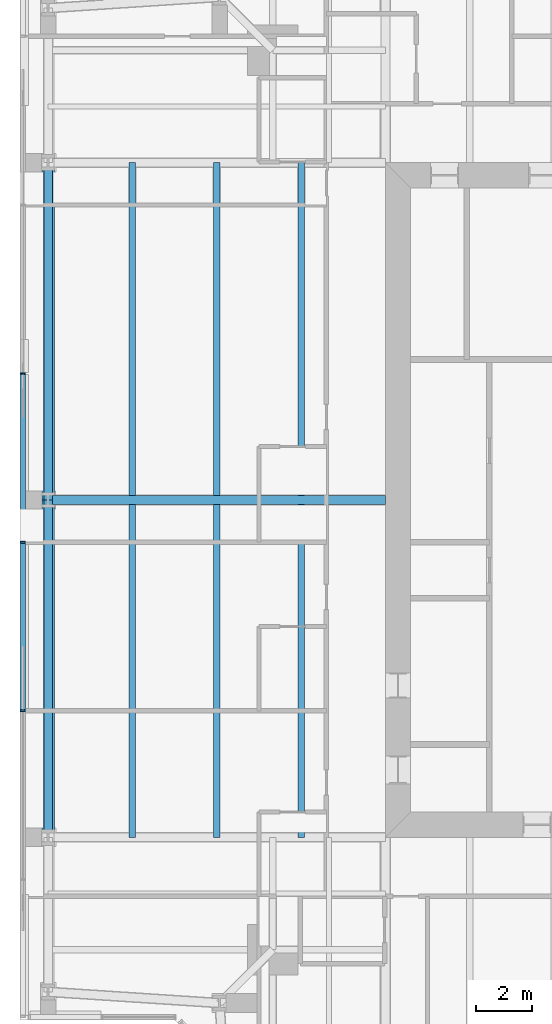
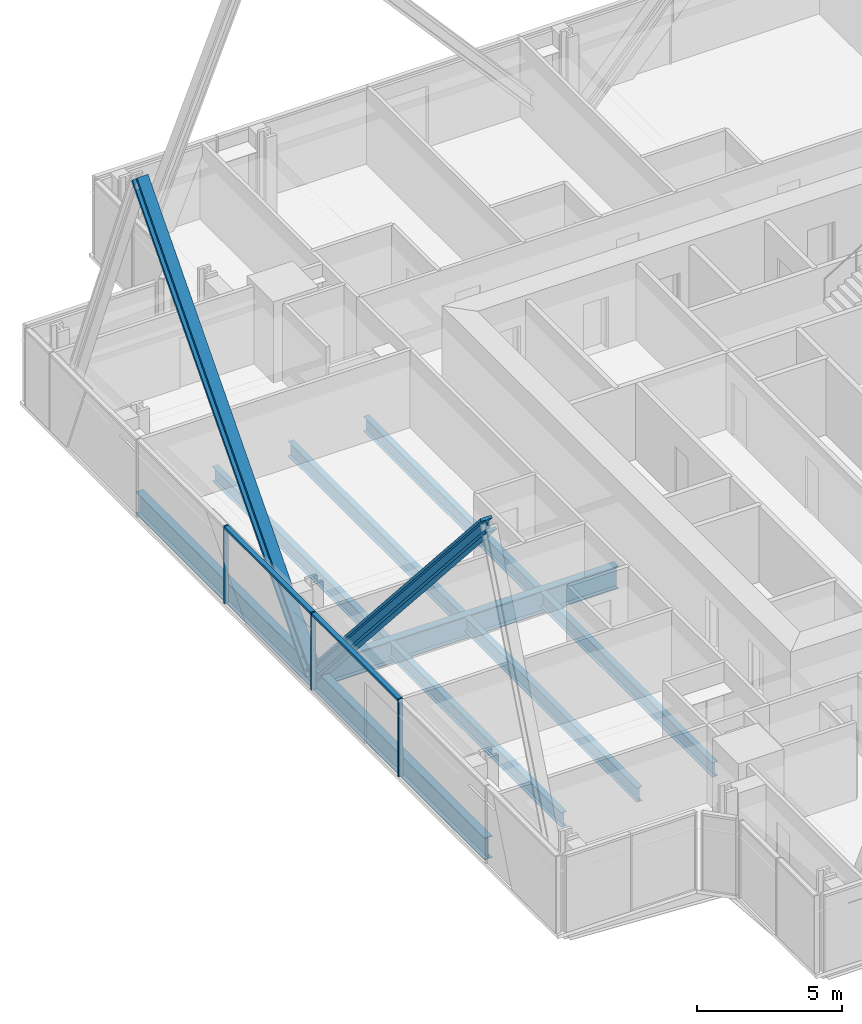
# One storey, part 4 of 20: 9 beams, 7 members, 1 element without a shape of its own.
"""IFC4 building model written with IfcOpenShell, lengths in metres."""

from ifc_helpers import new_model, si_unit, direction, frame, origin, origin_2d, place, context, subcontext, project, spatial, rectangle, i_section, extrude, material, material_profile, profile_set, type_object, element, aggregate, save


model = new_model("IFC4")

# Units and contexts
model_context = context("Model", 3, precision=1e-05, world=origin(), true_north=direction((0.0, 1.0)))
body_context = subcontext(model_context, "Body", "Model", "MODEL_VIEW")
ifc_project = project(units=[si_unit("LENGTHUNIT", "METRE"), si_unit("AREAUNIT", "SQUARE_METRE"), si_unit("VOLUMEUNIT", "CUBIC_METRE"), si_unit("PLANEANGLEUNIT", "RADIAN"), si_unit("MASSUNIT", "GRAM", prefix="KILO")], contexts=[model_context])

# Site, building, storey
site_placement = place(None, origin())
site = spatial("IfcSite", under=ifc_project, at=site_placement, CompositionType="ELEMENT")
building_placement = place(site_placement, origin())
building = spatial("IfcBuilding", under=site, at=building_placement, Name="Fenwick Lantern Interchange", CompositionType="ELEMENT")
storey_placement = place(building_placement, frame((0.0, 0.0, 256.0)))
storey = spatial("IfcBuildingStorey", under=building, at=storey_placement, Name="L60", CompositionType="ELEMENT", Elevation=256.0)

# Beams
ifc_material_1 = material(Name="Steel ASTM A992 Grade 50", Category="steel")
ifc_material_profile_1 = material_profile(ifc_material_1, i_section(OverallWidth=0.3046875, OverallDepth=0.911865234375, WebThickness=0.015869140625, FlangeThickness=0.02392578125, at=origin_2d()), Name="W36X150")
ifc_profile_set_1 = profile_set([ifc_material_profile_1], Name="Steel ASTM A992 Grade 50")
beam_type_1 = type_object("IfcBeamType", Name="EDGE BEAM W36X150", PredefinedType="SPANDREL", material=ifc_profile_set_1)
for number, where, z_axis, x_axis, name in (
    (1, (1.0, 37.0, -0.60595703125), (0.0, -1.0, 0.0), (1.0, 0.0, 0.0), "L60/FR/W/EB2"),
    (2, (1.0, 25.0, -0.60595703125), (0.0, -1.0, 0.0), (1.0, 0.0, 0.0), "L60/FR/W/EB3"),
):
    element("IfcBeam", number, at=place(storey_placement, frame(where, z_axis=z_axis, x_axis=x_axis)), inside=storey, type_object=beam_type_1, Name=name, PredefinedType="SPANDREL", context=body_context, shape_type="SweptSolid", body=[
        extrude(i_section(OverallWidth=0.3046875, OverallDepth=0.911865234375, WebThickness=0.015869140625, FlangeThickness=0.02392578125, at=origin_2d()), origin(), (0.0, 0.0, 1.0), 12.0),
    ])

# Members
ifc_material_profile_2 = material_profile(ifc_material_1, i_section(OverallWidth=0.44189453125, OverallDepth=0.53076171875, WebThickness=0.06591796875, FlangeThickness=0.105712890625, at=origin_2d()), Name="W14X605")
ifc_profile_set_2 = profile_set([ifc_material_profile_2], Name="Steel ASTM A992 Grade 50")
member_type_1 = type_object("IfcMemberType", Name="FACADE BRACE W14X605", PredefinedType="BRACE", material=ifc_profile_set_2)
for number, where, z_axis, x_axis, name in (
    (3, (1.0, 25.0, -0.60595703125), (0.0, 0.661618965899, 0.749840212287), (-1.0, 0.0, 0.0), "L60/FB/W/A"),
    (4, (1.0, 25.0, -0.60595703125), (0.0, -0.661618965899, 0.749840212287), (1.0, 0.0, 0.0), "L60/FB/W/B"),
):
    element("IfcMember", number, at=place(storey_placement, frame(where, z_axis=z_axis, x_axis=x_axis)), inside=storey, type_object=member_type_1, Name=name, PredefinedType="BRACE", context=body_context, shape_type="SweptSolid", body=[
        extrude(i_section(OverallWidth=0.44189453125, OverallDepth=0.53076171875, WebThickness=0.06591796875, FlangeThickness=0.105712890625, at=origin_2d()), origin(), (0.0, 0.0, 1.0), 18.13720703125),
    ])

# Beams
ifc_material_profile_3 = material_profile(ifc_material_1, i_section(OverallWidth=0.22900390625, OverallDepth=0.612060546875, WebThickness=0.011962890625, FlangeThickness=0.01953125, at=origin_2d()), Name="W24X84")
ifc_profile_set_3 = profile_set([ifc_material_profile_3], Name="Steel ASTM A992 Grade 50")
beam_type_2 = type_object("IfcBeamType", Name="FLOOR BEAM W24X84", PredefinedType="BEAM", material=ifc_profile_set_3)
for number, where, z_axis, x_axis, name in (
    (5, (4.0, 37.0, -0.4560546875), (0.0, -1.0, 0.0), (1.0, 0.0, 0.0), "L60/FR/W/B01"),
    (6, (7.0, 37.0, -0.4560546875), (0.0, -1.0, 0.0), (1.0, 0.0, 0.0), "L60/FR/W/B02"),
    (7, (10.0, 37.0, -0.4560546875), (0.0, -1.0, 0.0), (1.0, 0.0, 0.0), "L60/FR/W/B03"),
    (8, (4.0, 24.844970703125, -0.4560546875), (0.0, -1.0, 0.0), (1.0, 0.0, 0.0), "L60/FR/W/B04"),
    (9, (7.0, 24.844970703125, -0.4560546875), (0.0, -1.0, 0.0), (1.0, 0.0, 0.0), "L60/FR/W/B05"),
    (10, (10.0, 24.844970703125, -0.4560546875), (0.0, -1.0, 0.0), (1.0, 0.0, 0.0), "L60/FR/W/B06"),
):
    element("IfcBeam", number, at=place(storey_placement, frame(where, z_axis=z_axis, x_axis=x_axis)), inside=storey, type_object=beam_type_2, Name=name, PredefinedType="BEAM", context=body_context, shape_type="SweptSolid", body=[
        extrude(i_section(OverallWidth=0.22900390625, OverallDepth=0.612060546875, WebThickness=0.011962890625, FlangeThickness=0.01953125, at=origin_2d()), origin(), (0.0, 0.0, 1.0), 11.844970703125),
    ])

# Curtain wall, members
ifc_material_2 = material(Name="Aluminium curtain wall frame", Category="aluminium")
curtain_wall_type = type_object("IfcCurtainWallType", Name="HOTEL CURTAIN WALL", PredefinedType="USERDEFINED", material=ifc_material_2)
curtain_wall_placement = place(storey_placement, origin())
curtain_wall = element("IfcCurtainWall", 11, at=curtain_wall_placement, inside=storey, type_object=curtain_wall_type, Name="Hotel curtain wall 13", ObjectType="HOTEL CURTAIN WALL", PredefinedType="USERDEFINED")
ifc_material_3 = material(Name="Aluminium extrusion", Category="aluminium")
ifc_material_profile_4 = material_profile(ifc_material_3, rectangle(XDim=0.179931640625, YDim=0.06005859375, at=origin_2d()), Name="HOTEL CURTAIN WALL MULLION 60 X 180")
ifc_profile_set_4 = profile_set([ifc_material_profile_4], Name="Aluminium extrusion")
member_type_2 = type_object("IfcMemberType", Name="HOTEL CURTAIN WALL MULLION 60 X 180", PredefinedType="MULLION", material=ifc_profile_set_4)
member_1_placement = place(storey_placement, frame((0.10009765625, 29.5, 0.0), z_axis=(0.0, 0.0, 1.0), x_axis=(1.0, 0.0, 0.0)))
member_1 = element("IfcMember", 12, at=member_1_placement, type_object=member_type_2, Name="L60/CW/13/M03", PredefinedType="MULLION", context=body_context, shape_type="SweptSolid", body=[
    extrude(rectangle(XDim=0.179931640625, YDim=0.06005859375, at=origin_2d()), origin(), (0.0, 0.0, 1.0), 3.25),
])
member_2_placement = place(storey_placement, frame((0.10009765625, 23.5, 0.0), z_axis=(0.0, 0.0, 1.0), x_axis=(1.0, 0.0, 0.0)))
member_2 = element("IfcMember", 13, at=member_2_placement, type_object=member_type_2, Name="L60/CW/13/M04", PredefinedType="MULLION", context=body_context, shape_type="SweptSolid", body=[
    extrude(rectangle(XDim=0.179931640625, YDim=0.06005859375, at=origin_2d()), origin(), (0.0, 0.0, 1.0), 3.25),
])
member_3_placement = place(storey_placement, frame((0.10009765625, 17.5, 0.0), z_axis=(0.0, 0.0, 1.0), x_axis=(1.0, 0.0, 0.0)))
member_3 = element("IfcMember", 14, at=member_3_placement, type_object=member_type_2, Name="L60/CW/13/M05", PredefinedType="MULLION", context=body_context, shape_type="SweptSolid", body=[
    extrude(rectangle(XDim=0.179931640625, YDim=0.06005859375, at=origin_2d()), origin(), (0.0, 0.0, 1.0), 3.25),
])
ifc_material_profile_5 = material_profile(ifc_material_3, rectangle(XDim=0.179931640625, YDim=0.10009765625, at=origin_2d()), Name="HOTEL CURTAIN WALL TRANSOM 100 X 180")
ifc_profile_set_5 = profile_set([ifc_material_profile_5], Name="Aluminium extrusion")
member_type_3 = type_object("IfcMemberType", Name="HOTEL CURTAIN WALL TRANSOM 100 X 180", PredefinedType="MULLION", material=ifc_profile_set_5)
member_4_placement = place(storey_placement, frame((0.10009765625, 29.469970703125, 3.199951171875), z_axis=(0.0, -1.0, 0.0), x_axis=(1.0, 0.0, 0.0)))
member_4 = element("IfcMember", 15, at=member_4_placement, type_object=member_type_3, Name="L60/CW/13/T03", PredefinedType="MULLION", context=body_context, shape_type="SweptSolid", body=[
    extrude(rectangle(XDim=0.179931640625, YDim=0.10009765625, at=origin_2d()), origin(), (0.0, 0.0, 1.0), 5.93994140625),
])
member_5_placement = place(storey_placement, frame((0.10009765625, 23.469970703125, 3.199951171875), z_axis=(0.0, -1.0, 0.0), x_axis=(1.0, 0.0, 0.0)))
member_5 = element("IfcMember", 16, at=member_5_placement, type_object=member_type_3, Name="L60/CW/13/T04", PredefinedType="MULLION", context=body_context, shape_type="SweptSolid", body=[
    extrude(rectangle(XDim=0.179931640625, YDim=0.10009765625, at=origin_2d()), origin(), (0.0, 0.0, 1.0), 5.93994140625),
])
aggregate(curtain_wall, [member_1, member_2, member_3, member_4, member_5])

# Beam
ifc_material_profile_6 = material_profile(ifc_material_1, i_section(OverallWidth=0.309814453125, OverallDepth=0.949951171875, WebThickness=0.0244140625, FlangeThickness=0.0439453125, at=origin_2d()), Name="W36X256")
ifc_profile_set_6 = profile_set([ifc_material_profile_6], Name="Steel ASTM A992 Grade 50")
beam_type_3 = type_object("IfcBeamType", Name="MOMENT-CONNECTED GIRDER W36X256", PredefinedType="BEAM", material=ifc_profile_set_6)
beam_placement = place(storey_placement, frame((1.0, 25.0, -0.625), z_axis=(1.0, 0.0, 0.0), x_axis=(0.0, 1.0, 0.0)))
element("IfcBeam", 17, at=beam_placement, inside=storey, type_object=beam_type_3, Name="L60/FR/W/R02", PredefinedType="BEAM", context=body_context, shape_type="SweptSolid", body=[
    extrude(i_section(OverallWidth=0.309814453125, OverallDepth=0.949951171875, WebThickness=0.0244140625, FlangeThickness=0.0439453125, at=origin_2d()), origin(), (0.0, 0.0, 1.0), 12.0),
])

save(model, "model.ifc")
